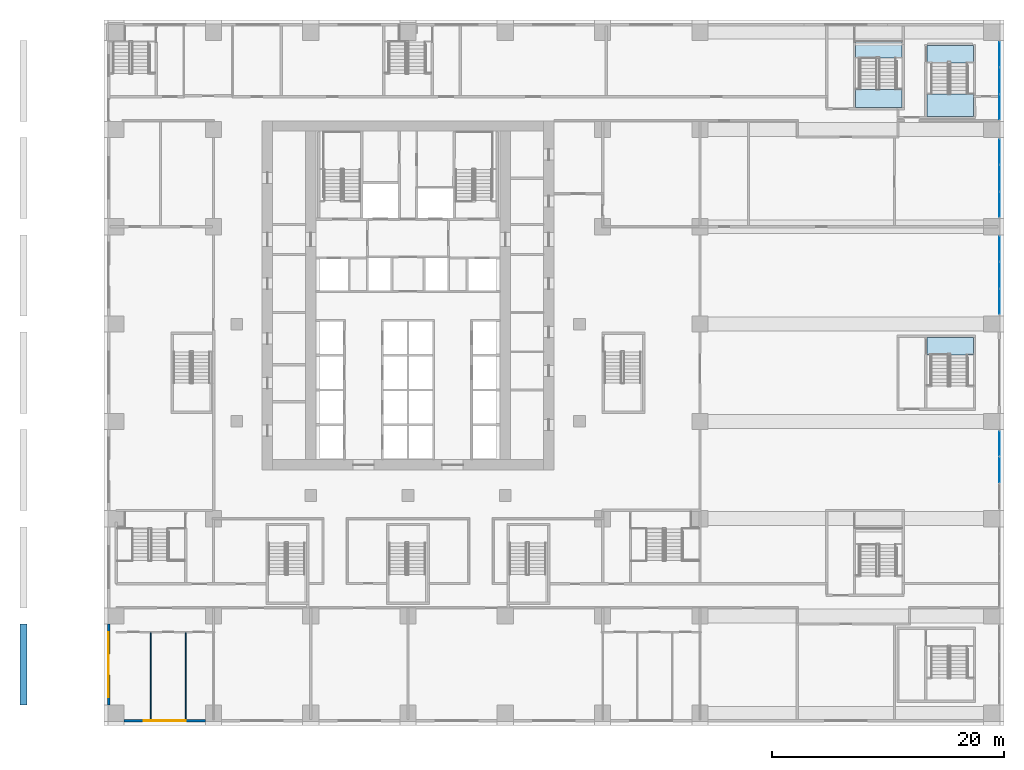
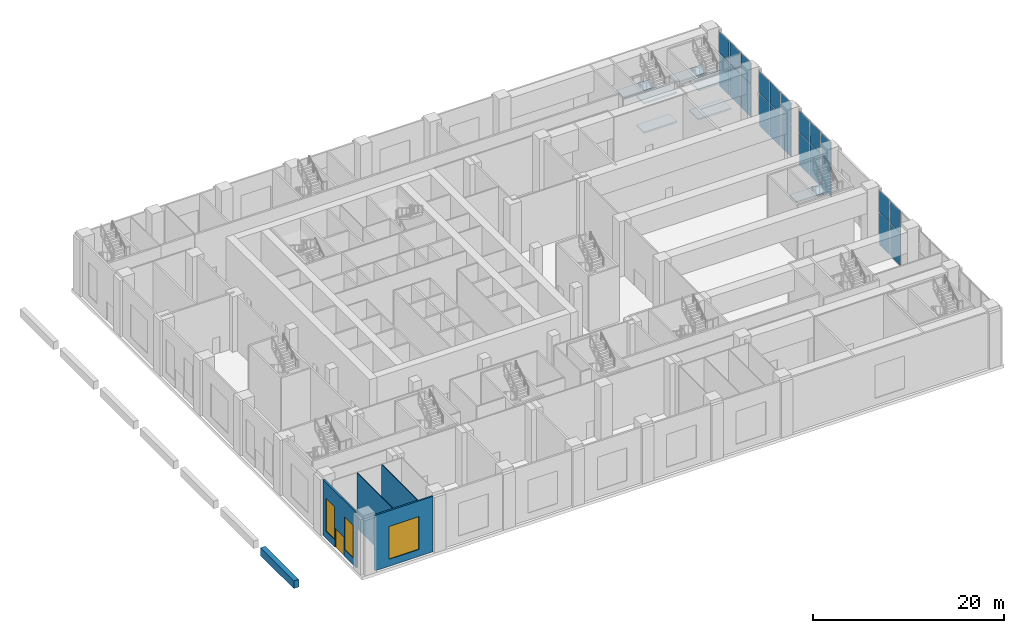
# One storey, part 6 of 29: 22 plates, 7 slabs, 5 walls, 3 windows, 1 door, 4 openings, 7 elements without a shape of their own.
"""IFC4 building model written with IfcOpenShell, lengths in metres."""

from ifc_helpers import new_model, si_unit, direction, frame, frame_2d, origin, origin_2d, place, context, subcontext, project, spatial, polyline, rectangle, outline, extrude, material, layer, layer_set, type_object, element, fill, aggregate, save


model = new_model("IFC4")

# Units and contexts
model_context = context("Model", 3, precision=1e-05, world=origin(), true_north=direction((0.0, 1.0)))
body_context = subcontext(model_context, "Body", "Model", "MODEL_VIEW")
ifc_project = project(units=[si_unit("LENGTHUNIT", "METRE"), si_unit("AREAUNIT", "SQUARE_METRE"), si_unit("VOLUMEUNIT", "CUBIC_METRE"), si_unit("PLANEANGLEUNIT", "RADIAN"), si_unit("MASSUNIT", "GRAM", prefix="KILO")], contexts=[model_context])

# Site, building, storey
site_placement = place(None, origin())
site = spatial("IfcSite", under=ifc_project, at=site_placement, CompositionType="ELEMENT")
building_placement = place(site_placement, origin())
building = spatial("IfcBuilding", under=site, at=building_placement, Name="Vermilion Ogive Tower", CompositionType="ELEMENT")
storey_placement = place(building_placement, frame((0.0, 0.0, 12.5)))
storey = spatial("IfcBuildingStorey", under=building, at=storey_placement, Name="L02", CompositionType="ELEMENT", Elevation=12.5)

# Curtain wall, plates
ifc_material_1 = material(Name="Clear double glazing in aluminium frame", Category="aluminium")
curtain_wall_type = type_object("IfcCurtainWallType", Name="Curtain wall CW5", PredefinedType="NOTDEFINED", material=ifc_material_1)
curtain_wall_1_placement = place(storey_placement, origin())
curtain_wall_1 = element("IfcCurtainWall", 1, at=curtain_wall_1_placement, inside=storey, type_object=curtain_wall_type, Name="CW5 ballroom glazing E3", PredefinedType="NOTDEFINED")
ifc_material_2 = material(Name="Clear double glazing in aluminium frame", Category="aluminium")
ifc_layer_1 = layer(ifc_material_2, 0.031982421875)
ifc_layer_set_1 = layer_set([ifc_layer_1], Name="CW5 glazing panel 32")
plate_type = type_object("IfcPlateType", Name="CW5 glazing panel 32", PredefinedType="CURTAIN_PANEL", material=ifc_layer_set_1)
plate_1_placement = place(storey_placement, frame((51.06005859375, -8.39990234375, 0.06005859375), z_axis=(0.0, 0.0, 1.0), x_axis=(0.0, 1.0, 0.0)))
plate_1 = element("IfcPlate", 2, at=plate_1_placement, type_object=plate_type, Name="CW5-E3 panel 2.1", PredefinedType="CURTAIN_PANEL", context=body_context, shape_type="SweptSolid", body=[
    extrude(rectangle(XDim=2.1533203125, YDim=0.031982421875, at=origin_2d()), origin(), (0.0, 0.0, 1.0), 4.169921875),
])
plate_2_placement = place(storey_placement, frame((51.06005859375, -8.39990234375, 4.2900390625), z_axis=(0.0, 0.0, 1.0), x_axis=(0.0, 1.0, 0.0)))
plate_2 = element("IfcPlate", 3, at=plate_2_placement, type_object=plate_type, Name="CW5-E3 panel 2.2", PredefinedType="CURTAIN_PANEL", context=body_context, shape_type="SweptSolid", body=[
    extrude(rectangle(XDim=2.1533203125, YDim=0.031982421875, at=origin_2d()), origin(), (0.0, 0.0, 1.0), 2.75),
])
plate_3_placement = place(storey_placement, frame((51.06005859375, -6.111572265625, 0.06005859375), z_axis=(0.0, 0.0, 1.0), x_axis=(0.0, 1.0, 0.0)))
plate_3 = element("IfcPlate", 4, at=plate_3_placement, type_object=plate_type, Name="CW5-E3 panel 3.1", PredefinedType="CURTAIN_PANEL", context=body_context, shape_type="SweptSolid", body=[
    extrude(rectangle(XDim=2.063232421875, YDim=0.031982421875, at=origin_2d()), origin(), (0.0, 0.0, 1.0), 4.169921875),
])
plate_4_placement = place(storey_placement, frame((51.06005859375, -6.111572265625, 4.2900390625), z_axis=(0.0, 0.0, 1.0), x_axis=(0.0, 1.0, 0.0)))
plate_4 = element("IfcPlate", 5, at=plate_4_placement, type_object=plate_type, Name="CW5-E3 panel 3.2", PredefinedType="CURTAIN_PANEL", context=body_context, shape_type="SweptSolid", body=[
    extrude(rectangle(XDim=2.063232421875, YDim=0.031982421875, at=origin_2d()), origin(), (0.0, 0.0, 1.0), 2.75),
])
aggregate(curtain_wall_1, [plate_1, plate_2, plate_3, plate_4])

curtain_wall_2_placement = place(storey_placement, origin())
curtain_wall_2 = element("IfcCurtainWall", 6, at=curtain_wall_2_placement, inside=storey, type_object=curtain_wall_type, Name="CW5 ballroom glazing E5", PredefinedType="NOTDEFINED")
plate_5_placement = place(storey_placement, frame((51.06005859375, 6.111572265625, 0.06005859375), z_axis=(0.0, 0.0, 1.0), x_axis=(0.0, 1.0, 0.0)))
plate_5 = element("IfcPlate", 7, at=plate_5_placement, type_object=plate_type, Name="CW5-E5 panel 1.1", PredefinedType="CURTAIN_PANEL", context=body_context, shape_type="SweptSolid", body=[
    extrude(rectangle(XDim=2.063232421875, YDim=0.031982421875, at=origin_2d()), origin(), (0.0, 0.0, 1.0), 4.169921875),
])
plate_6_placement = place(storey_placement, frame((51.06005859375, 6.111572265625, 4.2900390625), z_axis=(0.0, 0.0, 1.0), x_axis=(0.0, 1.0, 0.0)))
plate_6 = element("IfcPlate", 8, at=plate_6_placement, type_object=plate_type, Name="CW5-E5 panel 1.2", PredefinedType="CURTAIN_PANEL", context=body_context, shape_type="SweptSolid", body=[
    extrude(rectangle(XDim=2.063232421875, YDim=0.031982421875, at=origin_2d()), origin(), (0.0, 0.0, 1.0), 2.75),
])
plate_7_placement = place(storey_placement, frame((51.06005859375, 8.39990234375, 0.06005859375), z_axis=(0.0, 0.0, 1.0), x_axis=(0.0, 1.0, 0.0)))
plate_7 = element("IfcPlate", 9, at=plate_7_placement, type_object=plate_type, Name="CW5-E5 panel 2.1", PredefinedType="CURTAIN_PANEL", context=body_context, shape_type="SweptSolid", body=[
    extrude(rectangle(XDim=2.1533203125, YDim=0.031982421875, at=origin_2d()), origin(), (0.0, 0.0, 1.0), 4.169921875),
])
plate_8_placement = place(storey_placement, frame((51.06005859375, 8.39990234375, 4.2900390625), z_axis=(0.0, 0.0, 1.0), x_axis=(0.0, 1.0, 0.0)))
plate_8 = element("IfcPlate", 10, at=plate_8_placement, type_object=plate_type, Name="CW5-E5 panel 2.2", PredefinedType="CURTAIN_PANEL", context=body_context, shape_type="SweptSolid", body=[
    extrude(rectangle(XDim=2.1533203125, YDim=0.031982421875, at=origin_2d()), origin(), (0.0, 0.0, 1.0), 2.75),
])
plate_9_placement = place(storey_placement, frame((51.06005859375, 10.688232421875, 0.06005859375), z_axis=(0.0, 0.0, 1.0), x_axis=(0.0, 1.0, 0.0)))
plate_9 = element("IfcPlate", 11, at=plate_9_placement, type_object=plate_type, Name="CW5-E5 panel 3.1", PredefinedType="CURTAIN_PANEL", context=body_context, shape_type="SweptSolid", body=[
    extrude(rectangle(XDim=2.063232421875, YDim=0.031982421875, at=origin_2d()), origin(), (0.0, 0.0, 1.0), 4.169921875),
])
plate_10_placement = place(storey_placement, frame((51.06005859375, 10.688232421875, 4.2900390625), z_axis=(0.0, 0.0, 1.0), x_axis=(0.0, 1.0, 0.0)))
plate_10 = element("IfcPlate", 12, at=plate_10_placement, type_object=plate_type, Name="CW5-E5 panel 3.2", PredefinedType="CURTAIN_PANEL", context=body_context, shape_type="SweptSolid", body=[
    extrude(rectangle(XDim=2.063232421875, YDim=0.031982421875, at=origin_2d()), origin(), (0.0, 0.0, 1.0), 2.75),
])
aggregate(curtain_wall_2, [plate_5, plate_6, plate_7, plate_8, plate_9, plate_10])

curtain_wall_3_placement = place(storey_placement, origin())
curtain_wall_3 = element("IfcCurtainWall", 13, at=curtain_wall_3_placement, inside=storey, type_object=curtain_wall_type, Name="CW5 ballroom glazing E6", PredefinedType="NOTDEFINED")
plate_11_placement = place(storey_placement, frame((51.06005859375, 14.51171875, 0.06005859375), z_axis=(0.0, 0.0, 1.0), x_axis=(0.0, 1.0, 0.0)))
plate_11 = element("IfcPlate", 14, at=plate_11_placement, type_object=plate_type, Name="CW5-E6 panel 1.1", PredefinedType="CURTAIN_PANEL", context=body_context, shape_type="SweptSolid", body=[
    extrude(rectangle(XDim=2.063232421875, YDim=0.031982421875, at=origin_2d()), origin(), (0.0, 0.0, 1.0), 4.169921875),
])
plate_12_placement = place(storey_placement, frame((51.06005859375, 14.51171875, 4.2900390625), z_axis=(0.0, 0.0, 1.0), x_axis=(0.0, 1.0, 0.0)))
plate_12 = element("IfcPlate", 15, at=plate_12_placement, type_object=plate_type, Name="CW5-E6 panel 1.2", PredefinedType="CURTAIN_PANEL", context=body_context, shape_type="SweptSolid", body=[
    extrude(rectangle(XDim=2.063232421875, YDim=0.031982421875, at=origin_2d()), origin(), (0.0, 0.0, 1.0), 2.75),
])
plate_13_placement = place(storey_placement, frame((51.06005859375, 16.800048828125, 0.06005859375), z_axis=(0.0, 0.0, 1.0), x_axis=(0.0, 1.0, 0.0)))
plate_13 = element("IfcPlate", 16, at=plate_13_placement, type_object=plate_type, Name="CW5-E6 panel 2.1", PredefinedType="CURTAIN_PANEL", context=body_context, shape_type="SweptSolid", body=[
    extrude(rectangle(XDim=2.1533203125, YDim=0.031982421875, at=origin_2d()), origin(), (0.0, 0.0, 1.0), 4.169921875),
])
plate_14_placement = place(storey_placement, frame((51.06005859375, 16.800048828125, 4.2900390625), z_axis=(0.0, 0.0, 1.0), x_axis=(0.0, 1.0, 0.0)))
plate_14 = element("IfcPlate", 17, at=plate_14_placement, type_object=plate_type, Name="CW5-E6 panel 2.2", PredefinedType="CURTAIN_PANEL", context=body_context, shape_type="SweptSolid", body=[
    extrude(rectangle(XDim=2.1533203125, YDim=0.031982421875, at=origin_2d()), origin(), (0.0, 0.0, 1.0), 2.75),
])
plate_15_placement = place(storey_placement, frame((51.06005859375, 19.08837890625, 0.06005859375), z_axis=(0.0, 0.0, 1.0), x_axis=(0.0, 1.0, 0.0)))
plate_15 = element("IfcPlate", 18, at=plate_15_placement, type_object=plate_type, Name="CW5-E6 panel 3.1", PredefinedType="CURTAIN_PANEL", context=body_context, shape_type="SweptSolid", body=[
    extrude(rectangle(XDim=2.063232421875, YDim=0.031982421875, at=origin_2d()), origin(), (0.0, 0.0, 1.0), 4.169921875),
])
plate_16_placement = place(storey_placement, frame((51.06005859375, 19.08837890625, 4.2900390625), z_axis=(0.0, 0.0, 1.0), x_axis=(0.0, 1.0, 0.0)))
plate_16 = element("IfcPlate", 19, at=plate_16_placement, type_object=plate_type, Name="CW5-E6 panel 3.2", PredefinedType="CURTAIN_PANEL", context=body_context, shape_type="SweptSolid", body=[
    extrude(rectangle(XDim=2.063232421875, YDim=0.031982421875, at=origin_2d()), origin(), (0.0, 0.0, 1.0), 2.75),
])
aggregate(curtain_wall_3, [plate_11, plate_12, plate_13, plate_14, plate_15, plate_16])

curtain_wall_4_placement = place(storey_placement, origin())
curtain_wall_4 = element("IfcCurtainWall", 20, at=curtain_wall_4_placement, inside=storey, type_object=curtain_wall_type, Name="CW5 ballroom glazing E7", PredefinedType="NOTDEFINED")
plate_17_placement = place(storey_placement, frame((51.06005859375, 22.91162109375, 0.06005859375), z_axis=(0.0, 0.0, 1.0), x_axis=(0.0, 1.0, 0.0)))
plate_17 = element("IfcPlate", 21, at=plate_17_placement, type_object=plate_type, Name="CW5-E7 panel 1.1", PredefinedType="CURTAIN_PANEL", context=body_context, shape_type="SweptSolid", body=[
    extrude(rectangle(XDim=2.063232421875, YDim=0.031982421875, at=origin_2d()), origin(), (0.0, 0.0, 1.0), 4.169921875),
])
plate_18_placement = place(storey_placement, frame((51.06005859375, 22.91162109375, 4.2900390625), z_axis=(0.0, 0.0, 1.0), x_axis=(0.0, 1.0, 0.0)))
plate_18 = element("IfcPlate", 22, at=plate_18_placement, type_object=plate_type, Name="CW5-E7 panel 1.2", PredefinedType="CURTAIN_PANEL", context=body_context, shape_type="SweptSolid", body=[
    extrude(rectangle(XDim=2.063232421875, YDim=0.031982421875, at=origin_2d()), origin(), (0.0, 0.0, 1.0), 2.75),
])
plate_19_placement = place(storey_placement, frame((51.06005859375, 25.199951171875, 0.06005859375), z_axis=(0.0, 0.0, 1.0), x_axis=(0.0, 1.0, 0.0)))
plate_19 = element("IfcPlate", 23, at=plate_19_placement, type_object=plate_type, Name="CW5-E7 panel 2.1", PredefinedType="CURTAIN_PANEL", context=body_context, shape_type="SweptSolid", body=[
    extrude(rectangle(XDim=2.1533203125, YDim=0.031982421875, at=origin_2d()), origin(), (0.0, 0.0, 1.0), 4.169921875),
])
plate_20_placement = place(storey_placement, frame((51.06005859375, 25.199951171875, 4.2900390625), z_axis=(0.0, 0.0, 1.0), x_axis=(0.0, 1.0, 0.0)))
plate_20 = element("IfcPlate", 24, at=plate_20_placement, type_object=plate_type, Name="CW5-E7 panel 2.2", PredefinedType="CURTAIN_PANEL", context=body_context, shape_type="SweptSolid", body=[
    extrude(rectangle(XDim=2.1533203125, YDim=0.031982421875, at=origin_2d()), origin(), (0.0, 0.0, 1.0), 2.75),
])
plate_21_placement = place(storey_placement, frame((51.06005859375, 27.48828125, 0.06005859375), z_axis=(0.0, 0.0, 1.0), x_axis=(0.0, 1.0, 0.0)))
plate_21 = element("IfcPlate", 25, at=plate_21_placement, type_object=plate_type, Name="CW5-E7 panel 3.1", PredefinedType="CURTAIN_PANEL", context=body_context, shape_type="SweptSolid", body=[
    extrude(rectangle(XDim=2.063232421875, YDim=0.031982421875, at=origin_2d()), origin(), (0.0, 0.0, 1.0), 4.169921875),
])
plate_22_placement = place(storey_placement, frame((51.06005859375, 27.48828125, 4.2900390625), z_axis=(0.0, 0.0, 1.0), x_axis=(0.0, 1.0, 0.0)))
plate_22 = element("IfcPlate", 26, at=plate_22_placement, type_object=plate_type, Name="CW5-E7 panel 3.2", PredefinedType="CURTAIN_PANEL", context=body_context, shape_type="SweptSolid", body=[
    extrude(rectangle(XDim=2.063232421875, YDim=0.031982421875, at=origin_2d()), origin(), (0.0, 0.0, 1.0), 2.75),
])
aggregate(curtain_wall_4, [plate_17, plate_18, plate_19, plate_20, plate_21, plate_22])

# Stair, slabs
ifc_material_3 = material(Name="Concrete B40", Category="concrete")
stair_type = type_object("IfcStairType", Name="Exit stair 1500", PredefinedType="HALF_TURN_STAIR", material=ifc_material_3)
stair_1_placement = place(storey_placement, origin())
stair_1 = element("IfcStair", 27, at=stair_1_placement, inside=storey, type_object=stair_type, Name="L02 Exit Stair PS2", PredefinedType="HALF_TURN_STAIR")
ifc_material_4 = material(Name="Concrete B40", Category="concrete")
ifc_layer_2 = layer(ifc_material_4, 0.199951171875)
ifc_layer_set_2 = layer_set([ifc_layer_2], Name="Stair landing 200")
slab_type = type_object("IfcSlabType", Name="Stair landing 200", PredefinedType="LANDING", material=ifc_layer_set_2)
slab_1_placement = place(storey_placement, frame((0.0, 0.0, 1.675048828125)))
slab_1 = element("IfcSlab", 28, at=slab_1_placement, type_object=slab_type, Name="PS2 landing 1", PredefinedType="LANDING", context=body_context, shape_type="SweptSolid", body=[
    extrude(outline(polyline([(42.64990234375, 24.449951171875), (42.14990234375, 24.449951171875), (42.14990234375, 24.451904296875), (40.64990234375, 24.451904296875), (40.64990234375, 24.449951171875), (40.5, 24.449951171875), (40.5, 24.451904296875), (39.0, 24.451904296875), (39.0, 24.449951171875), (38.650146484375, 24.449951171875), (38.650146484375, 22.875), (42.64990234375, 22.875), (42.64990234375, 24.449951171875)])), origin(), (0.0, 0.0, 1.0), 0.199951171875),
])
slab_2_placement = place(storey_placement, frame((0.0, 0.0, 3.550048828125)))
slab_2 = element("IfcSlab", 29, at=slab_2_placement, type_object=slab_type, Name="PS2 landing 2", PredefinedType="LANDING", context=body_context, shape_type="SweptSolid", body=[
    extrude(outline(polyline([(38.650146484375, 27.14990234375), (39.0, 27.14990234375), (39.0, 27.14794921875), (40.5, 27.14794921875), (40.5, 27.14990234375), (40.64990234375, 27.14990234375), (40.64990234375, 27.14794921875), (42.14990234375, 27.14794921875), (42.14990234375, 27.14990234375), (42.64990234375, 27.14990234375), (42.64990234375, 28.64990234375), (38.650146484375, 28.64990234375), (38.650146484375, 27.14990234375)])), origin(), (0.0, 0.0, 1.0), 0.199951171875),
])
slab_3_placement = place(storey_placement, frame((0.0, 0.0, 5.425048828125)))
slab_3 = element("IfcSlab", 30, at=slab_3_placement, type_object=slab_type, Name="PS2 landing 3", PredefinedType="LANDING", context=body_context, shape_type="SweptSolid", body=[
    extrude(outline(polyline([(42.64990234375, 24.449951171875), (42.14990234375, 24.449951171875), (42.14990234375, 24.451904296875), (40.64990234375, 24.451904296875), (40.64990234375, 24.449951171875), (40.5, 24.449951171875), (40.5, 24.451904296875), (39.0, 24.451904296875), (39.0, 24.449951171875), (38.650146484375, 24.449951171875), (38.650146484375, 22.875), (42.64990234375, 22.875), (42.64990234375, 24.449951171875)])), origin(), (0.0, 0.0, 1.0), 0.199951171875),
])
aggregate(stair_1, [slab_1, slab_2, slab_3])

stair_2_placement = place(storey_placement, origin())
stair_2 = element("IfcStair", 31, at=stair_2_placement, inside=storey, type_object=stair_type, Name="L02 Exit Stair PEN", PredefinedType="HALF_TURN_STAIR")
slab_4_placement = place(storey_placement, frame((0.0, 0.0, 1.675048828125)))
slab_4 = element("IfcSlab", 32, at=slab_4_placement, type_object=slab_type, Name="PEN landing 1", PredefinedType="LANDING", context=body_context, shape_type="SweptSolid", body=[
    extrude(outline(polyline([(48.8125, 24.050048828125), (48.300048828125, 24.050048828125), (48.300048828125, 24.052001953125), (46.800048828125, 24.052001953125), (46.800048828125, 24.050048828125), (46.64990234375, 24.050048828125), (46.64990234375, 24.052001953125), (45.14990234375, 24.052001953125), (45.14990234375, 24.050048828125), (44.800048828125, 24.050048828125), (44.800048828125, 22.125), (48.8125, 22.125), (48.8125, 24.050048828125)])), origin(), (0.0, 0.0, 1.0), 0.199951171875),
])
slab_5_placement = place(storey_placement, frame((0.0, 0.0, 3.550048828125)))
slab_5 = element("IfcSlab", 33, at=slab_5_placement, type_object=slab_type, Name="PEN landing 2", PredefinedType="LANDING", context=body_context, shape_type="SweptSolid", body=[
    extrude(outline(polyline([(44.800048828125, 26.75), (45.14990234375, 26.75), (45.14990234375, 26.748046875), (46.64990234375, 26.748046875), (46.64990234375, 26.75), (46.800048828125, 26.75), (46.800048828125, 26.748046875), (48.300048828125, 26.748046875), (48.300048828125, 26.75), (48.7998046875, 26.75), (48.7998046875, 28.25), (44.800048828125, 28.25), (44.800048828125, 26.75)])), origin(), (0.0, 0.0, 1.0), 0.199951171875),
])
slab_6_placement = place(storey_placement, frame((0.0, 0.0, 5.425048828125)))
slab_6 = element("IfcSlab", 34, at=slab_6_placement, type_object=slab_type, Name="PEN landing 3", PredefinedType="LANDING", context=body_context, shape_type="SweptSolid", body=[
    extrude(outline(polyline([(48.8125, 24.050048828125), (48.300048828125, 24.050048828125), (48.300048828125, 24.052001953125), (46.800048828125, 24.052001953125), (46.800048828125, 24.050048828125), (46.64990234375, 24.050048828125), (46.64990234375, 24.052001953125), (45.14990234375, 24.052001953125), (45.14990234375, 24.050048828125), (44.800048828125, 24.050048828125), (44.800048828125, 22.125), (48.8125, 22.125), (48.8125, 24.050048828125)])), origin(), (0.0, 0.0, 1.0), 0.199951171875),
])
aggregate(stair_2, [slab_4, slab_5, slab_6])

# Stair, slab
stair_3_placement = place(storey_placement, origin())
stair_3 = element("IfcStair", 35, at=stair_3_placement, inside=storey, type_object=stair_type, Name="L02 Exit Stair PEC", PredefinedType="HALF_TURN_STAIR")
slab_7_placement = place(storey_placement, frame((0.0, 0.0, 3.550048828125)))
slab_7 = element("IfcSlab", 36, at=slab_7_placement, type_object=slab_type, Name="PEC landing 2", PredefinedType="LANDING", context=body_context, shape_type="SweptSolid", body=[
    extrude(outline(polyline([(44.800048828125, 1.550048828125), (45.14990234375, 1.550048828125), (45.14990234375, 1.548095703125), (46.64990234375, 1.548095703125), (46.64990234375, 1.550048828125), (46.800048828125, 1.550048828125), (46.800048828125, 1.548095703125), (48.300048828125, 1.548095703125), (48.300048828125, 1.550048828125), (48.7998046875, 1.550048828125), (48.7998046875, 3.0498046875), (44.800048828125, 3.0498046875), (44.800048828125, 1.550048828125)])), origin(), (0.0, 0.0, 1.0), 0.199951171875),
])
aggregate(stair_3, [slab_7])

# Walls
ifc_material_5 = material(Name="Gypsum board partition on steel studs", Category="steel")
ifc_layer_3 = layer(ifc_material_5, 0.10009765625)
ifc_layer_set_3 = layer_set([ifc_layer_3], Name="Partition 100 bath")
wall_type_1 = type_object("IfcWallType", Name="Partition 100 bath", PredefinedType="PARTITIONING", material=ifc_layer_set_3)
for number, where, z_axis, x_axis, name in (
    (37, (-22.199951171875, -29.949951171875, 0.0), (0.0, 0.0, 1.0), (0.0, 1.0, 0.0), "L02-FS-W-W039"),
    (38, (-19.199951171875, -29.949951171875, 0.0), (0.0, 0.0, 1.0), (0.0, 1.0, 0.0), "L02-FS-W-W043"),
):
    element("IfcWall", number, at=place(storey_placement, frame(where, z_axis=z_axis, x_axis=x_axis)), inside=storey, type_object=wall_type_1, Name=name, PredefinedType="PARTITIONING", context=body_context, shape_type="SweptSolid", body=[
        extrude(rectangle(XDim=7.5, YDim=0.10009765625, at=frame_2d((3.75, 0.0))), origin(), (0.0, 0.0, 1.0), 7.10009765625),
    ])
ifc_material_6 = material(Name="Concrete B40", Category="concrete")
ifc_layer_4 = layer(ifc_material_6, 0.60009765625)
ifc_layer_set_4 = layer_set([ifc_layer_4], Name="Terrace planter")
wall_type_2 = type_object("IfcWallType", Name="Terrace planter", PredefinedType="USERDEFINED", material=ifc_layer_set_4)
wall_1_placement = place(storey_placement, frame((-33.199951171875, -28.699951171875, 0.0), z_axis=(0.0, 0.0, 1.0), x_axis=(0.0, 1.0, 0.0)))
element("IfcWall", 39, at=wall_1_placement, inside=storey, type_object=wall_type_2, Name="Terrace planter 1.1.1", ObjectType="PLANTER", PredefinedType="USERDEFINED", context=body_context, shape_type="SweptSolid", body=[
    extrude(rectangle(XDim=7.0, YDim=0.60009765625, at=frame_2d((3.5, 0.0))), origin(), (0.0, 0.0, 1.0), 1.0),
])

# Wall, opening, window
ifc_material_7 = material(Name="Aluminium window wall framing", Category="aluminium")
ifc_layer_5 = layer(ifc_material_7, 0.199951171875)
ifc_layer_set_5 = layer_set([ifc_layer_5], Name="Window wall")
wall_type_3 = type_object("IfcWallType", Name="Window wall", PredefinedType="STANDARD", material=ifc_layer_set_5)
wall_2_placement = place(storey_placement, frame((-24.5, -30.050048828125, 0.0), z_axis=(0.0, 0.0, 1.0), x_axis=(1.0, 0.0, 0.0)))
wall_2 = element("IfcWall", 40, at=wall_2_placement, inside=storey, type_object=wall_type_3, Name="Window wall S1", PredefinedType="STANDARD", context=body_context, shape_type="SweptSolid", body=[
    extrude(rectangle(XDim=7.0, YDim=0.199951171875, at=frame_2d((3.5, 0.0))), origin(), (0.0, 0.0, 1.0), 7.10009765625),
])
opening_1_placement = place(wall_2_placement, frame((1.699951171875, 0.0, 0.89990234375)))
opening_1 = element("IfcOpeningElement", 41, at=opening_1_placement, cuts=wall_2, Name="Opening P-S1", PredefinedType="OPENING", context=body_context, shape_type="SweptSolid", body=[
    extrude(rectangle(XDim=3.60009765625, YDim=4.199951171875, at=frame_2d((1.800048828125, 2.10009765625))), frame((0.0, 0.10986328125, 0.0), z_axis=(0.0, -1.0, 0.0), x_axis=(1.0, 0.0, 0.0)), (0.0, 0.0, 1.0), 0.219970703125),
])
ifc_material_8 = material(Name="Aluminium framed double glazing", Category="aluminium")
window_type_1 = type_object("IfcWindowType", Name="Podium window P 3600x4200 sill 900", PartitioningType="SINGLE_PANEL", PredefinedType="WINDOW", material=ifc_material_8)
window_1_placement = place(opening_1_placement, origin())
window_1 = element("IfcWindow", 42, at=window_1_placement, inside=storey, type_object=window_type_1, Name="Window S1", OverallHeight=4.199951171875, OverallWidth=3.60009765625, PartitioningType="SINGLE_PANEL", PredefinedType="WINDOW", context=body_context, shape_type="SweptSolid", body=[
    extrude(rectangle(XDim=3.60009765625, YDim=4.199951171875, at=frame_2d((1.800048828125, 2.10009765625))), frame((0.0, 0.030029296875, 0.0), z_axis=(0.0, -1.0, 0.0), x_axis=(1.0, 0.0, 0.0)), (0.0, 0.0, 1.0), 0.06005859375),
])
fill(opening_1, window_1)

# Wall, openings, windows, door
wall_3_placement = place(storey_placement, frame((-25.85009765625, -21.699951171875, 0.0), z_axis=(0.0, 0.0, 1.0), x_axis=(0.0, -1.0, 0.0)))
wall_3 = element("IfcWall", 43, at=wall_3_placement, inside=storey, type_object=wall_type_3, Name="Window wall W7", PredefinedType="STANDARD", context=body_context, shape_type="SweptSolid", body=[
    extrude(rectangle(XDim=7.0, YDim=0.199951171875, at=frame_2d((3.5, 0.0))), origin(), (0.0, 0.0, 1.0), 7.10009765625),
])
opening_2_placement = place(wall_3_placement, frame((0.699951171875, 0.0, 0.89990234375)))
opening_2 = element("IfcOpeningElement", 44, at=opening_2_placement, cuts=wall_3, Name="Opening P-W7A", PredefinedType="OPENING", context=body_context, shape_type="SweptSolid", body=[
    extrude(rectangle(XDim=1.800048828125, YDim=4.199951171875, at=frame_2d((0.89990234375, 2.10009765625))), frame((0.0, 0.10986328125, 0.0), z_axis=(0.0, -1.0, 0.0), x_axis=(1.0, 0.0, 0.0)), (0.0, 0.0, 1.0), 0.219970703125),
])
opening_3_placement = place(wall_3_placement, frame((2.60009765625, 0.0, 0.0)))
opening_3 = element("IfcOpeningElement", 45, at=opening_3_placement, cuts=wall_3, Name="Opening D2-W7", PredefinedType="OPENING", context=body_context, shape_type="SweptSolid", body=[
    extrude(rectangle(XDim=1.800048828125, YDim=2.39990234375, at=frame_2d((0.89990234375, 1.199951171875))), frame((0.0, 0.10986328125, 0.0), z_axis=(0.0, -1.0, 0.0), x_axis=(1.0, 0.0, 0.0)), (0.0, 0.0, 1.0), 0.219970703125),
])
opening_4_placement = place(wall_3_placement, frame((4.5, 0.0, 0.89990234375)))
opening_4 = element("IfcOpeningElement", 46, at=opening_4_placement, cuts=wall_3, Name="Opening P-W7B", PredefinedType="OPENING", context=body_context, shape_type="SweptSolid", body=[
    extrude(rectangle(XDim=1.800048828125, YDim=4.199951171875, at=frame_2d((0.89990234375, 2.10009765625))), frame((0.0, 0.10986328125, 0.0), z_axis=(0.0, -1.0, 0.0), x_axis=(1.0, 0.0, 0.0)), (0.0, 0.0, 1.0), 0.219970703125),
])
ifc_material_9 = material(Name="Aluminium framed double glazing", Category="aluminium")
window_type_2 = type_object("IfcWindowType", Name="Podium window P 1800x4200 sill 900", PartitioningType="SINGLE_PANEL", PredefinedType="WINDOW", material=ifc_material_9)
window_2_placement = place(opening_2_placement, origin())
window_2 = element("IfcWindow", 47, at=window_2_placement, inside=storey, type_object=window_type_2, Name="Window W7A", OverallHeight=4.199951171875, OverallWidth=1.800048828125, PartitioningType="SINGLE_PANEL", PredefinedType="WINDOW", context=body_context, shape_type="SweptSolid", body=[
    extrude(rectangle(XDim=1.800048828125, YDim=4.199951171875, at=frame_2d((0.89990234375, 2.10009765625))), frame((0.0, 0.030029296875, 0.0), z_axis=(0.0, -1.0, 0.0), x_axis=(1.0, 0.0, 0.0)), (0.0, 0.0, 1.0), 0.06005859375),
])
fill(opening_2, window_2)
window_3_placement = place(opening_4_placement, origin())
window_3 = element("IfcWindow", 48, at=window_3_placement, inside=storey, type_object=window_type_2, Name="Window W7B", OverallHeight=4.199951171875, OverallWidth=1.800048828125, PartitioningType="SINGLE_PANEL", PredefinedType="WINDOW", context=body_context, shape_type="SweptSolid", body=[
    extrude(rectangle(XDim=1.800048828125, YDim=4.199951171875, at=frame_2d((0.89990234375, 2.10009765625))), frame((0.0, 0.030029296875, 0.0), z_axis=(0.0, -1.0, 0.0), x_axis=(1.0, 0.0, 0.0)), (0.0, 0.0, 1.0), 0.06005859375),
])
fill(opening_4, window_3)
ifc_material_10 = material(Name="Aluminium framed glazed door", Category="aluminium")
door_type = type_object("IfcDoorType", Name="Terrace door D2", OperationType="SINGLE_SWING_LEFT", PredefinedType="DOOR", material=ifc_material_10)
door_placement = place(opening_3_placement, origin())
door = element("IfcDoor", 49, at=door_placement, inside=storey, type_object=door_type, Name="Terrace door W7", OperationType="SINGLE_SWING_LEFT", OverallHeight=2.39990234375, OverallWidth=1.800048828125, PredefinedType="DOOR", context=body_context, shape_type="SweptSolid", body=[
    extrude(rectangle(XDim=1.800048828125, YDim=2.39990234375, at=frame_2d((0.89990234375, 1.199951171875))), frame((0.0, 0.02490234375, 0.0), z_axis=(0.0, -1.0, 0.0), x_axis=(1.0, 0.0, 0.0)), (0.0, 0.0, 1.0), 0.050048828125),
])
fill(opening_3, door)

save(model, "model.ifc")
